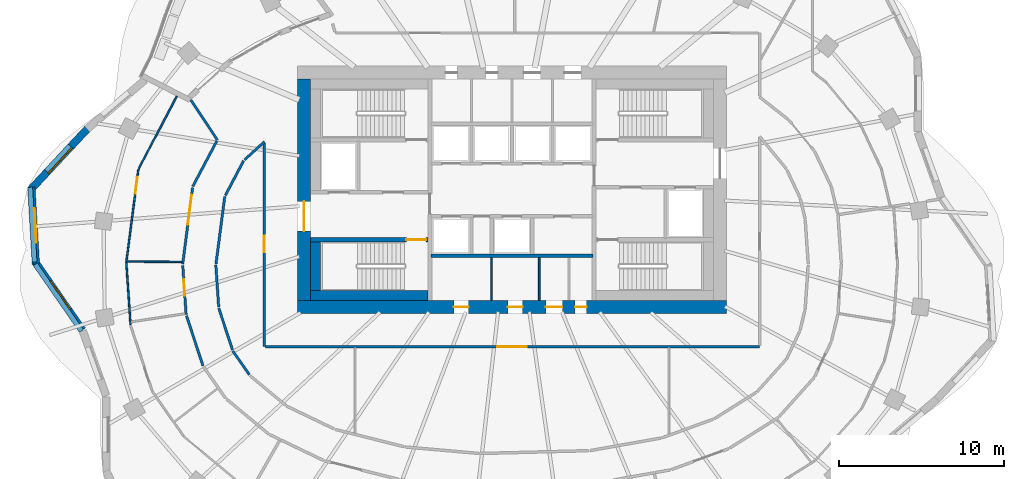
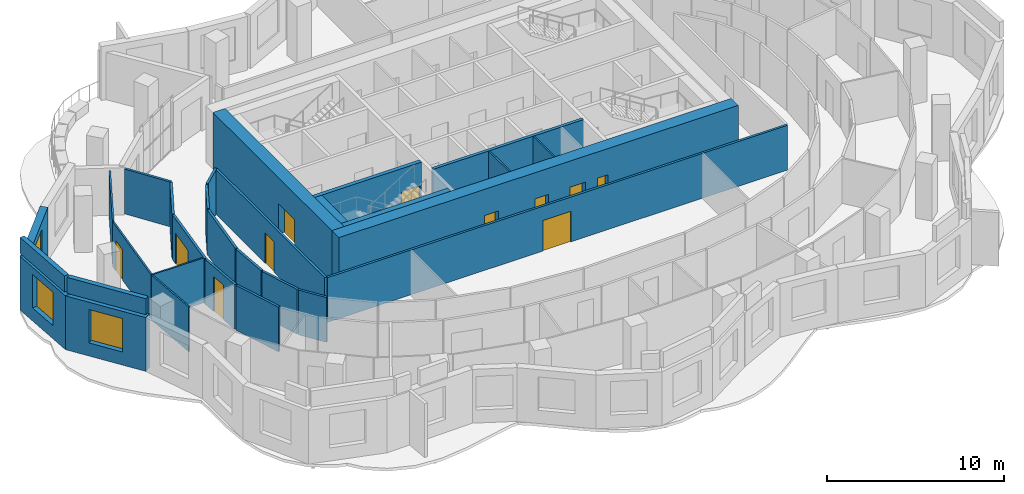
# One storey, part 6 of 13: 30 walls, 11 doors, 3 windows, 14 openings.
"""IFC4 building model written with IfcOpenShell, lengths in metres."""

from ifc_helpers import new_model, si_unit, direction, frame, frame_2d, origin, place, context, subcontext, project, spatial, rectangle, extrude, material, layer, layer_set, type_object, element, fill, save


model = new_model("IFC4")

# Units and contexts
model_context = context("Model", 3, precision=1e-05, world=origin(), true_north=direction((0.0, 1.0)))
body_context = subcontext(model_context, "Body", "Model", "MODEL_VIEW")
ifc_project = project(units=[si_unit("LENGTHUNIT", "METRE"), si_unit("AREAUNIT", "SQUARE_METRE"), si_unit("VOLUMEUNIT", "CUBIC_METRE"), si_unit("PLANEANGLEUNIT", "RADIAN"), si_unit("MASSUNIT", "GRAM", prefix="KILO")], contexts=[model_context])

# Site, building, storey
site_placement = place(None, origin())
site = spatial("IfcSite", under=ifc_project, at=site_placement, CompositionType="ELEMENT")
building_placement = place(site_placement, origin())
building = spatial("IfcBuilding", under=site, at=building_placement, Name="Rubra Terraces Tower", CompositionType="ELEMENT")
storey_placement = place(building_placement, frame((0.0, 0.0, 189.60009765625)))
storey = spatial("IfcBuildingStorey", under=building, at=storey_placement, Name="L46", CompositionType="ELEMENT", Elevation=189.60009765625)

# Wall, opening, window
ifc_material_1 = material(Name="Brick masonry red-brown", Category="masonry")
ifc_layer_1 = layer(ifc_material_1, 0.449951171875)
ifc_layer_set_1 = layer_set([ifc_layer_1], Name="Brick masonry red-brown")
wall_type_1 = type_object("IfcWallType", Name="Brick facade wall 450", PredefinedType="SOLIDWALL", material=ifc_layer_set_1)
wall_1_placement = place(storey_placement, frame((-25.716796875, 8.20068359375, 0.0), z_axis=(0.0, 0.0, 1.0), x_axis=(-0.681990073025, -0.731361429319, 0.0)))
wall_1 = element("IfcWall", 1, at=wall_1_placement, inside=storey, type_object=wall_type_1, Name="Facade wall L46 bay 19", PredefinedType="SOLIDWALL", context=body_context, shape_type="SweptSolid", body=[
    extrude(rectangle(XDim=5.063720703125, YDim=0.449951171875, at=frame_2d((2.53173828125, 0.0))), origin(), (0.0, 0.0, 1.0), 3.699951171875),
])
opening_1_placement = place(wall_1_placement, frame((1.481689453125, 0.0, 0.89990234375)))
opening_1 = element("IfcOpeningElement", 2, at=opening_1_placement, cuts=wall_1, Name="Opening W1B", PredefinedType="OPENING", context=body_context, shape_type="SweptSolid", body=[
    extrude(rectangle(XDim=2.10009765625, YDim=2.300048828125, at=frame_2d((1.050048828125, 1.14990234375))), frame((0.0, 0.23486328125, 0.0), z_axis=(0.0, -1.0, 0.0), x_axis=(1.0, 0.0, 0.0)), (0.0, 0.0, 1.0), 0.469970703125),
])
ifc_material_2 = material(Name="Clear glass in aluminium frame", Category="aluminium")
window_type = type_object("IfcWindowType", Name="Fixed deep-set window tall storey 2100 x 2300", PartitioningType="SINGLE_PANEL", PredefinedType="WINDOW", material=ifc_material_2)
window_1_placement = place(opening_1_placement, origin())
window_1 = element("IfcWindow", 3, at=window_1_placement, inside=storey, type_object=window_type, Name="Window L46 bay 19", OverallHeight=2.300048828125, OverallWidth=2.10009765625, PartitioningType="SINGLE_PANEL", PredefinedType="WINDOW", context=body_context, shape_type="SweptSolid", body=[
    extrude(rectangle(XDim=2.10009765625, YDim=2.300048828125, at=frame_2d((1.050048828125, 1.14990234375))), frame((0.0, 0.135009765625, 0.0), z_axis=(0.0, -1.0, 0.0), x_axis=(1.0, 0.0, 0.0)), (0.0, 0.0, 1.0), 0.06005859375),
])
fill(opening_1, window_1)

wall_2_placement = place(storey_placement, frame((-29.11328125, 4.66015625, 0.0), z_axis=(0.0, 0.0, 1.0), x_axis=(0.058217785859, -0.998303906338, 0.0)))
wall_2 = element("IfcWall", 4, at=wall_2_placement, inside=storey, type_object=wall_type_1, Name="Facade wall L46 bay 20", PredefinedType="SOLIDWALL", context=body_context, shape_type="SweptSolid", body=[
    extrude(rectangle(XDim=4.65478515625, YDim=0.449951171875, at=frame_2d((2.327392578125, 0.0))), origin(), (0.0, 0.0, 1.0), 3.699951171875),
])
opening_2_placement = place(wall_2_placement, frame((1.27734375, 0.0, 0.89990234375)))
opening_2 = element("IfcOpeningElement", 5, at=opening_2_placement, cuts=wall_2, Name="Opening W1B", PredefinedType="OPENING", context=body_context, shape_type="SweptSolid", body=[
    extrude(rectangle(XDim=2.10009765625, YDim=2.300048828125, at=frame_2d((1.050048828125, 1.14990234375))), frame((0.0, 0.23486328125, 0.0), z_axis=(0.0, -1.0, 0.0), x_axis=(1.0, 0.0, 0.0)), (0.0, 0.0, 1.0), 0.469970703125),
])
window_2_placement = place(opening_2_placement, origin())
window_2 = element("IfcWindow", 6, at=window_2_placement, inside=storey, type_object=window_type, Name="Window L46 bay 20", OverallHeight=2.300048828125, OverallWidth=2.10009765625, PartitioningType="SINGLE_PANEL", PredefinedType="WINDOW", context=body_context, shape_type="SweptSolid", body=[
    extrude(rectangle(XDim=2.10009765625, YDim=2.300048828125, at=frame_2d((1.050048828125, 1.14990234375))), frame((0.0, 0.135009765625, 0.0), z_axis=(0.0, -1.0, 0.0), x_axis=(1.0, 0.0, 0.0)), (0.0, 0.0, 1.0), 0.06005859375),
])
fill(opening_2, window_2)

wall_3_placement = place(storey_placement, frame((-28.87841796875, 0.122802734375, 0.0), z_axis=(0.0, 0.0, 1.0), x_axis=(0.569394732999, -0.8220642542, 0.0)))
wall_3 = element("IfcWall", 7, at=wall_3_placement, inside=storey, type_object=wall_type_1, Name="Facade wall L46 bay 21", PredefinedType="SOLIDWALL", context=body_context, shape_type="SweptSolid", body=[
    extrude(rectangle(XDim=5.015869140625, YDim=0.449951171875, at=frame_2d((2.5078125, 0.0))), origin(), (0.0, 0.0, 1.0), 3.699951171875),
])
opening_3_placement = place(wall_3_placement, frame((1.4580078125, 0.0, 0.89990234375)))
opening_3 = element("IfcOpeningElement", 8, at=opening_3_placement, cuts=wall_3, Name="Opening W1B", PredefinedType="OPENING", context=body_context, shape_type="SweptSolid", body=[
    extrude(rectangle(XDim=2.10009765625, YDim=2.300048828125, at=frame_2d((1.050048828125, 1.14990234375))), frame((0.0, 0.23486328125, 0.0), z_axis=(0.0, -1.0, 0.0), x_axis=(1.0, 0.0, 0.0)), (0.0, 0.0, 1.0), 0.469970703125),
])
window_3_placement = place(opening_3_placement, origin())
window_3 = element("IfcWindow", 9, at=window_3_placement, inside=storey, type_object=window_type, Name="Window L46 bay 21", OverallHeight=2.300048828125, OverallWidth=2.10009765625, PartitioningType="SINGLE_PANEL", PredefinedType="WINDOW", context=body_context, shape_type="SweptSolid", body=[
    extrude(rectangle(XDim=2.10009765625, YDim=2.300048828125, at=frame_2d((1.050048828125, 1.14990234375))), frame((0.0, 0.135009765625, 0.0), z_axis=(0.0, -1.0, 0.0), x_axis=(1.0, 0.0, 0.0)), (0.0, 0.0, 1.0), 0.06005859375),
])
fill(opening_3, window_3)

# Walls
ifc_layer_2 = layer(ifc_material_1, 0.300048828125)
ifc_layer_set_2 = layer_set([ifc_layer_2], Name="Brick masonry red-brown")
wall_type_2 = type_object("IfcWallType", Name="Brick parapet 300", PredefinedType="PARAPET", material=ifc_layer_set_2)
wall_4_placement = place(storey_placement, frame((-29.188232421875, 4.65576171875, 3.89990234375), z_axis=(0.0, 0.0, 1.0), x_axis=(0.058230319325, -0.998303175349, 0.0)))
element("IfcWall", 10, at=wall_4_placement, inside=storey, type_object=wall_type_2, Name="Parapet L46 bay 20", PredefinedType="PARAPET", context=body_context, shape_type="SweptSolid", body=[
    extrude(rectangle(XDim=4.540771484375, YDim=0.300048828125, at=frame_2d((2.2705078125, 0.0))), origin(), (0.0, 0.0, 1.0), 1.10009765625),
])
wall_5_placement = place(storey_placement, frame((-28.878662109375, -0.008544921875, 3.89990234375), z_axis=(0.0, 0.0, 1.0), x_axis=(0.569370412902, -0.822081098744, 0.0)))
element("IfcWall", 11, at=wall_5_placement, inside=storey, type_object=wall_type_2, Name="Parapet L46 bay 21", PredefinedType="PARAPET", context=body_context, shape_type="SweptSolid", body=[
    extrude(rectangle(XDim=4.90576171875, YDim=0.300048828125, at=frame_2d((2.452880859375, 0.0))), origin(), (0.0, 0.0, 1.0), 1.10009765625),
])

# Wall, openings, doors
ifc_material_3 = material(Name="Concrete C50", Category="concrete")
ifc_layer_3 = layer(ifc_material_3, 0.800048828125)
ifc_layer_set_3 = layer_set([ifc_layer_3], Name="Concrete C50")
wall_type_3 = type_object("IfcWallType", Name="CORE WALL 800 C50", PredefinedType="SHEAR", material=ifc_layer_set_3)
wall_6_placement = place(storey_placement, frame((-13.0, -2.60009765625, 0.0), z_axis=(0.0, 0.0, 1.0), x_axis=(1.0, 0.0, 0.0)))
wall_6 = element("IfcWall", 12, at=wall_6_placement, inside=storey, type_object=wall_type_3, Name="CORE WALL S L46", PredefinedType="SHEAR", context=body_context, shape_type="SweptSolid", body=[
    extrude(rectangle(XDim=26.0, YDim=0.800048828125, at=frame_2d((13.0, 0.0))), origin(), (0.0, 0.0, 1.0), 3.89990234375),
])
opening_4_placement = place(wall_6_placement, frame((9.47509765625, 0.0, 0.0)))
opening_4 = element("IfcOpeningElement", 13, at=opening_4_placement, cuts=wall_6, Name="Opening L46.C21", PredefinedType="OPENING", context=body_context, shape_type="SweptSolid", body=[
    extrude(rectangle(XDim=0.89990234375, YDim=2.10009765625, at=frame_2d((0.449951171875, 1.050048828125))), frame((0.0, 0.409912109375, 0.0), z_axis=(0.0, -1.0, 0.0), x_axis=(1.0, 0.0, 0.0)), (0.0, 0.0, 1.0), 0.820068359375),
])
opening_5_placement = place(wall_6_placement, frame((12.75, 0.0, 0.0)))
opening_5 = element("IfcOpeningElement", 14, at=opening_5_placement, cuts=wall_6, Name="Opening L46.C22", PredefinedType="OPENING", context=body_context, shape_type="SweptSolid", body=[
    extrude(rectangle(XDim=0.89990234375, YDim=2.10009765625, at=frame_2d((0.449951171875, 1.050048828125))), frame((0.0, 0.409912109375, 0.0), z_axis=(0.0, -1.0, 0.0), x_axis=(1.0, 0.0, 0.0)), (0.0, 0.0, 1.0), 0.820068359375),
])
opening_6_placement = place(wall_6_placement, frame((15.050048828125, 0.0, 0.0)))
opening_6 = element("IfcOpeningElement", 15, at=opening_6_placement, cuts=wall_6, Name="Opening L46.C23", PredefinedType="OPENING", context=body_context, shape_type="SweptSolid", body=[
    extrude(rectangle(XDim=1.0, YDim=2.10009765625, at=frame_2d((0.5, 1.050048828125))), frame((0.0, 0.409912109375, 0.0), z_axis=(0.0, -1.0, 0.0), x_axis=(1.0, 0.0, 0.0)), (0.0, 0.0, 1.0), 0.820068359375),
])
opening_7_placement = place(wall_6_placement, frame((16.824951171875, 0.0, 0.0)))
opening_7 = element("IfcOpeningElement", 16, at=opening_7_placement, cuts=wall_6, Name="Opening L46.C24", PredefinedType="OPENING", context=body_context, shape_type="SweptSolid", body=[
    extrude(rectangle(XDim=0.699951171875, YDim=2.10009765625, at=frame_2d((0.35009765625, 1.050048828125))), frame((0.0, 0.409912109375, 0.0), z_axis=(0.0, -1.0, 0.0), x_axis=(1.0, 0.0, 0.0)), (0.0, 0.0, 1.0), 0.820068359375),
])
ifc_material_4 = material(Name="Painted steel", Category="steel")
door_type_1 = type_object("IfcDoorType", Name="Fire door 1000x2100 single", OperationType="NOTDEFINED", PredefinedType="DOOR", material=ifc_material_4)
door_1_placement = place(opening_6_placement, origin())
door_1 = element("IfcDoor", 17, at=door_1_placement, inside=storey, type_object=door_type_1, Name="Accessible WC door", OperationType="SINGLE_SWING_LEFT", OverallHeight=2.10009765625, OverallWidth=1.0, PredefinedType="DOOR", context=body_context, shape_type="SweptSolid", body=[
    extrude(rectangle(XDim=1.0, YDim=2.10009765625, at=frame_2d((0.5, 1.050048828125))), frame((0.0, 0.02490234375, 0.0), z_axis=(0.0, -1.0, 0.0), x_axis=(1.0, 0.0, 0.0)), (0.0, 0.0, 1.0), 0.050048828125),
])
fill(opening_6, door_1)
door_type_2 = type_object("IfcDoorType", Name="Fire door 900x2100 single", OperationType="NOTDEFINED", PredefinedType="DOOR", material=ifc_material_4)
door_2_placement = place(opening_4_placement, origin())
door_2 = element("IfcDoor", 18, at=door_2_placement, inside=storey, type_object=door_type_2, Name="Ladies WC door", OperationType="SINGLE_SWING_LEFT", OverallHeight=2.10009765625, OverallWidth=0.89990234375, PredefinedType="DOOR", context=body_context, shape_type="SweptSolid", body=[
    extrude(rectangle(XDim=0.89990234375, YDim=2.10009765625, at=frame_2d((0.449951171875, 1.050048828125))), frame((0.0, 0.02490234375, 0.0), z_axis=(0.0, -1.0, 0.0), x_axis=(1.0, 0.0, 0.0)), (0.0, 0.0, 1.0), 0.050048828125),
])
fill(opening_4, door_2)
door_3_placement = place(opening_5_placement, origin())
door_3 = element("IfcDoor", 19, at=door_3_placement, inside=storey, type_object=door_type_2, Name="Gents WC door", OperationType="SINGLE_SWING_RIGHT", OverallHeight=2.10009765625, OverallWidth=0.89990234375, PredefinedType="DOOR", context=body_context, shape_type="SweptSolid", body=[
    extrude(rectangle(XDim=0.89990234375, YDim=2.10009765625, at=frame_2d((0.449951171875, 1.050048828125))), frame((0.0, 0.02490234375, 0.0), z_axis=(0.0, -1.0, 0.0), x_axis=(1.0, 0.0, 0.0)), (0.0, 0.0, 1.0), 0.050048828125),
])
fill(opening_5, door_3)
door_type_3 = type_object("IfcDoorType", Name="Riser access door 700x2100 single", OperationType="NOTDEFINED", PredefinedType="DOOR", material=ifc_material_4)
door_4_placement = place(opening_7_placement, origin())
door_4 = element("IfcDoor", 20, at=door_4_placement, inside=storey, type_object=door_type_3, Name="Electrical riser room door", OperationType="SINGLE_SWING_RIGHT", OverallHeight=2.10009765625, OverallWidth=0.699951171875, PredefinedType="DOOR", context=body_context, shape_type="SweptSolid", body=[
    extrude(rectangle(XDim=0.699951171875, YDim=2.10009765625, at=frame_2d((0.35009765625, 1.050048828125))), frame((0.0, 0.02490234375, 0.0), z_axis=(0.0, -1.0, 0.0), x_axis=(1.0, 0.0, 0.0)), (0.0, 0.0, 1.0), 0.050048828125),
])
fill(opening_7, door_4)

# Wall, opening, door
wall_7_placement = place(storey_placement, frame((-12.60009765625, -2.199951171875, 0.0), z_axis=(0.0, 0.0, 1.0), x_axis=(0.0, 1.0, 0.0)))
wall_7 = element("IfcWall", 21, at=wall_7_placement, inside=storey, type_object=wall_type_3, Name="CORE WALL W L46", PredefinedType="SHEAR", context=body_context, shape_type="SweptSolid", body=[
    extrude(rectangle(XDim=13.39990234375, YDim=0.800048828125, at=frame_2d((6.699951171875, 0.0))), origin(), (0.0, 0.0, 1.0), 3.89990234375),
])
opening_8_placement = place(wall_7_placement, frame((4.199951171875, 0.0, 0.0)))
opening_8 = element("IfcOpeningElement", 22, at=opening_8_placement, cuts=wall_7, Name="Opening L46.C01", PredefinedType="OPENING", context=body_context, shape_type="SweptSolid", body=[
    extrude(rectangle(XDim=1.800048828125, YDim=2.10009765625, at=frame_2d((0.89990234375, 1.050048828125))), frame((0.0, 0.409912109375, 0.0), z_axis=(0.0, -1.0, 0.0), x_axis=(1.0, 0.0, 0.0)), (0.0, 0.0, 1.0), 0.820068359375),
])
door_type_4 = type_object("IfcDoorType", Name="Fire door 1800x2100 double", OperationType="NOTDEFINED", PredefinedType="DOOR", material=ifc_material_4)
door_5_placement = place(opening_8_placement, origin())
door_5 = element("IfcDoor", 23, at=door_5_placement, inside=storey, type_object=door_type_4, Name="Core entrance door FF1", OperationType="DOUBLE_DOOR_SINGLE_SWING", OverallHeight=2.10009765625, OverallWidth=1.800048828125, PredefinedType="DOOR", context=body_context, shape_type="SweptSolid", body=[
    extrude(rectangle(XDim=1.800048828125, YDim=2.10009765625, at=frame_2d((0.89990234375, 1.050048828125))), frame((0.0, 0.02490234375, 0.0), z_axis=(0.0, -1.0, 0.0), x_axis=(1.0, 0.0, 0.0)), (0.0, 0.0, 1.0), 0.050048828125),
])
fill(opening_8, door_5)

# Walls
ifc_material_5 = material(Name="Plasterboard on steel stud, mineral wool infill", Category="steel")
ifc_layer_4 = layer(ifc_material_5, 0.14990234375)
ifc_layer_set_4 = layer_set([ifc_layer_4], Name="Plasterboard on steel stud, mineral wool infill")
wall_type_4 = type_object("IfcWallType", Name="CORRIDOR PARTITION 150", PredefinedType="PARTITIONING", material=ifc_layer_set_4)
wall_8_placement = place(storey_placement, frame((-19.456298828125, 9.943115234375, 0.0), z_axis=(0.0, 0.0, 1.0), x_axis=(0.553343067853, -0.832953449635, 0.0)))
element("IfcWall", 24, at=wall_8_placement, inside=storey, type_object=wall_type_4, Name="PARTITION", PredefinedType="PARTITIONING", context=body_context, shape_type="SweptSolid", body=[
    extrude(rectangle(XDim=2.907470703125, YDim=0.14990234375, at=frame_2d((1.45361328125, 0.0))), origin(), (0.0, 0.0, 1.0), 3.083984375),
])
wall_9_placement = place(storey_placement, frame((-17.882568359375, 7.454833984375, 0.0), z_axis=(0.0, 0.0, 1.0), x_axis=(-0.467721822532, -0.883875724708, 0.0)))
element("IfcWall", 25, at=wall_9_placement, inside=storey, type_object=wall_type_4, Name="PARTITION", PredefinedType="PARTITIONING", context=body_context, shape_type="SweptSolid", body=[
    extrude(rectangle(XDim=3.1103515625, YDim=0.14990234375, at=frame_2d((1.55517578125, 0.0))), origin(), (0.0, 0.0, 1.0), 3.083984375),
])

# Wall, opening, door
wall_10_placement = place(storey_placement, frame((-19.34716796875, 4.631103515625, 0.0), z_axis=(0.0, 0.0, 1.0), x_axis=(-0.128813952733, -0.991668778162, 0.0)))
wall_10 = element("IfcWall", 26, at=wall_10_placement, inside=storey, type_object=wall_type_4, Name="PARTITION", PredefinedType="PARTITIONING", context=body_context, shape_type="SweptSolid", body=[
    extrude(rectangle(XDim=4.669921875, YDim=0.14990234375, at=frame_2d((2.3349609375, 0.0))), origin(), (0.0, 0.0, 1.0), 3.083984375),
])
opening_9_placement = place(wall_10_placement, frame((0.449951171875, 0.0, 0.0)))
opening_9 = element("IfcOpeningElement", 27, at=opening_9_placement, cuts=wall_10, Name="Opening 46-102", PredefinedType="OPENING", context=body_context, shape_type="SweptSolid", body=[
    extrude(rectangle(XDim=1.800048828125, YDim=2.10009765625, at=frame_2d((0.89990234375, 1.050048828125))), frame((0.0, 0.0849609375, 0.0), z_axis=(0.0, -1.0, 0.0), x_axis=(1.0, 0.0, 0.0)), (0.0, 0.0, 1.0), 0.169921875),
])
ifc_material_6 = material(Name="Painted timber door leaf, double", Category="wood")
door_type_5 = type_object("IfcDoorType", Name="ROOM DOUBLE DOOR 1800 X 2100", OperationType="DOUBLE_DOOR_SINGLE_SWING", PredefinedType="DOOR", material=ifc_material_6)
door_6_placement = place(opening_9_placement, origin())
door_6 = element("IfcDoor", 28, at=door_6_placement, inside=storey, type_object=door_type_5, Name="DOOR 46-102", OperationType="DOUBLE_DOOR_SINGLE_SWING", OverallHeight=2.10009765625, OverallWidth=1.800048828125, PredefinedType="DOOR", context=body_context, shape_type="SweptSolid", body=[
    extrude(rectangle(XDim=1.800048828125, YDim=2.10009765625, at=frame_2d((0.89990234375, 1.050048828125))), frame((0.0, 0.02490234375, 0.0), z_axis=(0.0, -1.0, 0.0), x_axis=(1.0, 0.0, 0.0)), (0.0, 0.0, 1.0), 0.050048828125),
])
fill(opening_9, door_6)

wall_11_placement = place(storey_placement, frame((-19.943603515625, -0.07470703125, 0.0), z_axis=(0.0, 0.0, 1.0), x_axis=(0.068136763128, -0.997675990245, 0.0)))
wall_11 = element("IfcWall", 29, at=wall_11_placement, inside=storey, type_object=wall_type_4, Name="PARTITION", PredefinedType="PARTITIONING", context=body_context, shape_type="SweptSolid", body=[
    extrude(rectangle(XDim=2.984619140625, YDim=0.14990234375, at=frame_2d((1.4921875, 0.0))), origin(), (0.0, 0.0, 1.0), 3.083984375),
])
opening_10_placement = place(wall_11_placement, frame((0.85791015625, 0.0, 0.0)))
opening_10 = element("IfcOpeningElement", 30, at=opening_10_placement, cuts=wall_11, Name="Opening 46-104", PredefinedType="OPENING", context=body_context, shape_type="SweptSolid", body=[
    extrude(rectangle(XDim=1.0, YDim=2.39990234375, at=frame_2d((0.5, 1.199951171875))), frame((0.0, 0.0849609375, 0.0), z_axis=(0.0, -1.0, 0.0), x_axis=(1.0, 0.0, 0.0)), (0.0, 0.0, 1.0), 0.169921875),
])
ifc_material_7 = material(Name="Glazed aluminium meeting door leaf", Category="aluminium")
door_type_6 = type_object("IfcDoorType", Name="MEETING ROOM GLAZED DOOR 1000 X 2400", OperationType="SINGLE_SWING_LEFT", PredefinedType="DOOR", material=ifc_material_7)
door_7_placement = place(opening_10_placement, origin())
door_7 = element("IfcDoor", 31, at=door_7_placement, inside=storey, type_object=door_type_6, Name="DOOR 46-104", OperationType="SINGLE_SWING_RIGHT", OverallHeight=2.39990234375, OverallWidth=1.0, PredefinedType="DOOR", context=body_context, shape_type="SweptSolid", body=[
    extrude(rectangle(XDim=1.0, YDim=2.39990234375, at=frame_2d((0.5, 1.199951171875))), frame((0.0, 0.02490234375, 0.0), z_axis=(0.0, -1.0, 0.0), x_axis=(1.0, 0.0, 0.0)), (0.0, 0.0, 1.0), 0.050048828125),
])
fill(opening_10, door_7)

# Walls
wall_12_placement = place(storey_placement, frame((-19.716796875, -3.123779296875, 0.0), z_axis=(0.0, 0.0, 1.0), x_axis=(0.31188427026, -0.950120098706, 0.0)))
element("IfcWall", 32, at=wall_12_placement, inside=storey, type_object=wall_type_4, Name="PARTITION", PredefinedType="PARTITIONING", context=body_context, shape_type="SweptSolid", body=[
    extrude(rectangle(XDim=3.206298828125, YDim=0.14990234375, at=frame_2d((1.60302734375, 0.0))), origin(), (0.0, 0.0, 1.0), 3.083984375),
])
wall_13_placement = place(storey_placement, frame((-15.911865234375, -6.695556640625, 0.0), z_axis=(0.0, 0.0, 1.0), x_axis=(-0.572078533763, 0.820198848578, 0.0)))
element("IfcWall", 33, at=wall_13_placement, inside=storey, type_object=wall_type_4, Name="PARTITION", PredefinedType="PARTITIONING", context=body_context, shape_type="SweptSolid", body=[
    extrude(rectangle(XDim=1.74169921875, YDim=0.14990234375, at=frame_2d((0.870849609375, 0.0))), origin(), (0.0, 0.0, 1.0), 3.083984375),
])
wall_14_placement = place(storey_placement, frame((-16.931640625, -5.19580078125, 0.0), z_axis=(0.0, 0.0, 1.0), x_axis=(-0.311904957484, 0.950113307715, 0.0)))
element("IfcWall", 34, at=wall_14_placement, inside=storey, type_object=wall_type_4, Name="PARTITION", PredefinedType="PARTITIONING", context=body_context, shape_type="SweptSolid", body=[
    extrude(rectangle(XDim=2.662109375, YDim=0.14990234375, at=frame_2d((1.3310546875, 0.0))), origin(), (0.0, 0.0, 1.0), 3.083984375),
])
wall_15_placement = place(storey_placement, frame((-17.76708984375, -2.591552734375, 0.0), z_axis=(0.0, 0.0, 1.0), x_axis=(-0.068154548533, 0.997674775422, 0.0)))
element("IfcWall", 35, at=wall_15_placement, inside=storey, type_object=wall_type_4, Name="PARTITION", PredefinedType="PARTITIONING", context=body_context, shape_type="SweptSolid", body=[
    extrude(rectangle(XDim=2.5361328125, YDim=0.14990234375, at=frame_2d((1.26806640625, 0.0))), origin(), (0.0, 0.0, 1.0), 3.083984375),
])
wall_16_placement = place(storey_placement, frame((-17.930419921875, 0.01318359375, 0.0), z_axis=(0.0, 0.0, 1.0), x_axis=(0.128862113677, 0.991662521052, 0.0)))
element("IfcWall", 36, at=wall_16_placement, inside=storey, type_object=wall_type_4, Name="PARTITION", PredefinedType="PARTITIONING", context=body_context, shape_type="SweptSolid", body=[
    extrude(rectangle(XDim=4.113037109375, YDim=0.14990234375, at=frame_2d((2.056640625, 0.0))), origin(), (0.0, 0.0, 1.0), 3.083984375),
])
wall_17_placement = place(storey_placement, frame((-17.365478515625, 4.158447265625, 0.0), z_axis=(0.0, 0.0, 1.0), x_axis=(0.465619619263, 0.884984954763, 0.0)))
element("IfcWall", 37, at=wall_17_placement, inside=storey, type_object=wall_type_4, Name="PARTITION", PredefinedType="PARTITIONING", context=body_context, shape_type="SweptSolid", body=[
    extrude(rectangle(XDim=2.38037109375, YDim=0.14990234375, at=frame_2d((1.190185546875, 0.0))), origin(), (0.0, 0.0, 1.0), 3.083984375),
])
wall_18_placement = place(storey_placement, frame((-16.20166015625, 6.315673828125, 0.0), z_axis=(0.0, 0.0, 1.0), x_axis=(0.738485493928, 0.674269364021, 0.0)))
element("IfcWall", 38, at=wall_18_placement, inside=storey, type_object=wall_type_4, Name="PARTITION", PredefinedType="PARTITIONING", context=body_context, shape_type="SweptSolid", body=[
    extrude(rectangle(XDim=1.627197265625, YDim=0.14990234375, at=frame_2d((0.8134765625, 0.0))), origin(), (0.0, 0.0, 1.0), 3.083984375),
])

# Wall, opening, door
wall_19_placement = place(storey_placement, frame((-15.0, 7.337890625, 0.0), z_axis=(0.0, 0.0, 1.0), x_axis=(0.0, -1.0, 0.0)))
wall_19 = element("IfcWall", 39, at=wall_19_placement, inside=storey, type_object=wall_type_4, Name="PARTITION", PredefinedType="PARTITIONING", context=body_context, shape_type="SweptSolid", body=[
    extrude(rectangle(XDim=12.337890625, YDim=0.14990234375, at=frame_2d((6.1689453125, 0.0))), origin(), (0.0, 0.0, 1.0), 3.083984375),
])
opening_11_placement = place(wall_19_placement, frame((5.632080078125, 0.0, 0.0)))
opening_11 = element("IfcOpeningElement", 40, at=opening_11_placement, cuts=wall_19, Name="Opening 46-119", PredefinedType="OPENING", context=body_context, shape_type="SweptSolid", body=[
    extrude(rectangle(XDim=1.0, YDim=2.10009765625, at=frame_2d((0.5, 1.050048828125))), frame((0.0, 0.0849609375, 0.0), z_axis=(0.0, -1.0, 0.0), x_axis=(1.0, 0.0, 0.0)), (0.0, 0.0, 1.0), 0.169921875),
])
ifc_material_8 = material(Name="Painted timber door leaf", Category="wood")
door_type_7 = type_object("IfcDoorType", Name="ROOM DOOR 1000 X 2100", OperationType="SINGLE_SWING_LEFT", PredefinedType="DOOR", material=ifc_material_8)
door_8_placement = place(opening_11_placement, origin())
door_8 = element("IfcDoor", 41, at=door_8_placement, inside=storey, type_object=door_type_7, Name="DOOR 46-119", OperationType="SINGLE_SWING_RIGHT", OverallHeight=2.10009765625, OverallWidth=1.0, PredefinedType="DOOR", context=body_context, shape_type="SweptSolid", body=[
    extrude(rectangle(XDim=1.0, YDim=2.10009765625, at=frame_2d((0.5, 1.050048828125))), frame((0.0, 0.02490234375, 0.0), z_axis=(0.0, -1.0, 0.0), x_axis=(1.0, 0.0, 0.0)), (0.0, 0.0, 1.0), 0.050048828125),
])
fill(opening_11, door_8)

wall_20_placement = place(storey_placement, frame((-14.925048828125, -5.0, 0.0), z_axis=(0.0, 0.0, 1.0), x_axis=(1.0, 0.0, 0.0)))
wall_20 = element("IfcWall", 42, at=wall_20_placement, inside=storey, type_object=wall_type_4, Name="PARTITION", PredefinedType="PARTITIONING", context=body_context, shape_type="SweptSolid", body=[
    extrude(rectangle(XDim=29.925048828125, YDim=0.14990234375, at=frame_2d((14.96240234375, 0.0))), origin(), (0.0, 0.0, 1.0), 3.083984375),
])
opening_12_placement = place(wall_20_placement, frame((14.02490234375, 0.0, 0.0)))
opening_12 = element("IfcOpeningElement", 43, at=opening_12_placement, cuts=wall_20, Name="Opening 46-120", PredefinedType="OPENING", context=body_context, shape_type="SweptSolid", body=[
    extrude(rectangle(XDim=1.800048828125, YDim=2.10009765625, at=frame_2d((0.89990234375, 1.050048828125))), frame((0.0, 0.0849609375, 0.0), z_axis=(0.0, -1.0, 0.0), x_axis=(1.0, 0.0, 0.0)), (0.0, 0.0, 1.0), 0.169921875),
])
door_9_placement = place(opening_12_placement, origin())
door_9 = element("IfcDoor", 44, at=door_9_placement, inside=storey, type_object=door_type_5, Name="DOOR 46-120", OperationType="DOUBLE_DOOR_SINGLE_SWING", OverallHeight=2.10009765625, OverallWidth=1.800048828125, PredefinedType="DOOR", context=body_context, shape_type="SweptSolid", body=[
    extrude(rectangle(XDim=1.800048828125, YDim=2.10009765625, at=frame_2d((0.89990234375, 1.050048828125))), frame((0.0, 0.02490234375, 0.0), z_axis=(0.0, -1.0, 0.0), x_axis=(1.0, 0.0, 0.0)), (0.0, 0.0, 1.0), 0.050048828125),
])
fill(opening_12, door_9)

# Walls
ifc_material_9 = material(Name="Concrete C40", Category="concrete")
ifc_layer_5 = layer(ifc_material_9, 0.60009765625)
ifc_layer_set_5 = layer_set([ifc_layer_5], Name="Concrete C40")
wall_type_5 = type_object("IfcWallType", Name="Core lining wall 600 concrete", PredefinedType="SOLIDWALL", material=ifc_layer_set_5)
wall_21_placement = place(storey_placement, frame((-12.199951171875, -1.89990234375, 0.0), z_axis=(0.0, 0.0, 1.0), x_axis=(1.0, 0.0, 0.0)))
element("IfcWall", 45, at=wall_21_placement, inside=storey, type_object=wall_type_5, Name="CORE LINING WALL L46", PredefinedType="SOLIDWALL", context=body_context, shape_type="SweptSolid", body=[
    extrude(rectangle(XDim=7.099853515625, YDim=0.60009765625, at=frame_2d((3.5498046875, 0.0))), origin(), (0.0, 0.0, 1.0), 3.699951171875),
])
wall_22_placement = place(storey_placement, frame((-11.89990234375, -1.60009765625, 0.0), z_axis=(0.0, 0.0, 1.0), x_axis=(0.0, 1.0, 0.0)))
element("IfcWall", 46, at=wall_22_placement, inside=storey, type_object=wall_type_5, Name="CORE LINING WALL L46", PredefinedType="SOLIDWALL", context=body_context, shape_type="SweptSolid", body=[
    extrude(rectangle(XDim=2.9501953125, YDim=0.60009765625, at=frame_2d((1.47509765625, 0.0))), origin(), (0.0, 0.0, 1.0), 3.699951171875),
])
ifc_material_10 = material(Name="Concrete C30", Category="concrete")
ifc_layer_6 = layer(ifc_material_10, 0.199951171875)
ifc_layer_set_6 = layer_set([ifc_layer_6], Name="Concrete C30")
wall_type_6 = type_object("IfcWallType", Name="Core wall 200 concrete", PredefinedType="SOLIDWALL", material=ifc_layer_set_6)
wall_23_placement = place(storey_placement, frame((-4.89990234375, 0.5, 0.0), z_axis=(0.0, 0.0, 1.0), x_axis=(1.0, 0.0, 0.0)))
element("IfcWall", 47, at=wall_23_placement, inside=storey, type_object=wall_type_6, Name="LIFT SHAFT WALL L46", PredefinedType="SOLIDWALL", context=body_context, shape_type="SweptSolid", body=[
    extrude(rectangle(XDim=9.7998046875, YDim=0.199951171875, at=frame_2d((4.89990234375, 0.0))), origin(), (0.0, 0.0, 1.0), 3.699951171875),
])
ifc_material_11 = material(Name="Plasterboard on steel stud", Category="steel")
ifc_layer_7 = layer(ifc_material_11, 0.10009765625)
ifc_layer_set_7 = layer_set([ifc_layer_7], Name="Plasterboard on steel stud")
wall_type_7 = type_object("IfcWallType", Name="ROOM PARTITION 100", PredefinedType="PARTITIONING", material=ifc_layer_set_7)
wall_24_placement = place(storey_placement, frame((-23.106689453125, -3.65869140625, 0.0), z_axis=(0.0, 0.0, 1.0), x_axis=(-0.068224497128, 0.997669994533, 0.0)))
element("IfcWall", 48, at=wall_24_placement, inside=storey, type_object=wall_type_7, Name="PARTITION", PredefinedType="PARTITIONING", context=body_context, shape_type="SweptSolid", body=[
    extrude(rectangle(XDim=3.771728515625, YDim=0.10009765625, at=frame_2d((1.8857421875, 0.0))), origin(), (0.0, 0.0, 1.0), 3.083984375),
])

# Wall, opening, door
wall_25_placement = place(storey_placement, frame((-23.357421875, 0.15380859375, 0.0), z_axis=(0.0, 0.0, 1.0), x_axis=(0.128821187538, 0.991667838362, 0.0)))
wall_25 = element("IfcWall", 49, at=wall_25_placement, inside=storey, type_object=wall_type_7, Name="PARTITION", PredefinedType="PARTITIONING", context=body_context, shape_type="SweptSolid", body=[
    extrude(rectangle(XDim=5.64208984375, YDim=0.10009765625, at=frame_2d((2.821044921875, 0.0))), origin(), (0.0, 0.0, 1.0), 3.083984375),
])
opening_13_placement = place(wall_25_placement, frame((4.14990234375, 0.0, 0.0)))
opening_13 = element("IfcOpeningElement", 50, at=opening_13_placement, cuts=wall_25, Name="Opening 46-103", PredefinedType="OPENING", context=body_context, shape_type="SweptSolid", body=[
    extrude(rectangle(XDim=1.0, YDim=2.10009765625, at=frame_2d((0.5, 1.050048828125))), frame((0.0, 0.06005859375, 0.0), z_axis=(0.0, -1.0, 0.0), x_axis=(1.0, 0.0, 0.0)), (0.0, 0.0, 1.0), 0.1201171875),
])
door_10_placement = place(opening_13_placement, origin())
door_10 = element("IfcDoor", 51, at=door_10_placement, inside=storey, type_object=door_type_7, Name="DOOR 46-103", OperationType="SINGLE_SWING_LEFT", OverallHeight=2.10009765625, OverallWidth=1.0, PredefinedType="DOOR", context=body_context, shape_type="SweptSolid", body=[
    extrude(rectangle(XDim=1.0, YDim=2.10009765625, at=frame_2d((0.5, 1.050048828125))), frame((0.0, 0.02490234375, 0.0), z_axis=(0.0, -1.0, 0.0), x_axis=(1.0, 0.0, 0.0)), (0.0, 0.0, 1.0), 0.050048828125),
])
fill(opening_13, door_10)

# Walls
wall_26_placement = place(storey_placement, frame((-22.607177734375, 5.79296875, 0.0), z_axis=(0.0, 0.0, 1.0), x_axis=(0.465632415416, 0.884978222169, 0.0)))
element("IfcWall", 52, at=wall_26_placement, inside=storey, type_object=wall_type_7, Name="PARTITION", PredefinedType="PARTITIONING", context=body_context, shape_type="SweptSolid", body=[
    extrude(rectangle(XDim=4.942138671875, YDim=0.10009765625, at=frame_2d((2.47119140625, 0.0))), origin(), (0.0, 0.0, 1.0), 3.083984375),
])
wall_27_placement = place(storey_placement, frame((-20.00634765625, 0.134521484375, 0.0), z_axis=(0.0, 0.0, 1.0), x_axis=(-0.999982056353, 0.005990573668, 0.0)))
element("IfcWall", 53, at=wall_27_placement, inside=storey, type_object=wall_type_7, Name="PARTITION", PredefinedType="PARTITIONING", context=body_context, shape_type="SweptSolid", body=[
    extrude(rectangle(XDim=3.301025390625, YDim=0.10009765625, at=frame_2d((1.650390625, 0.0))), origin(), (0.0, 0.0, 1.0), 3.083984375),
])
ifc_material_12 = material(Name="Blockwork", Category="masonry")
ifc_layer_8 = layer(ifc_material_12, 0.10009765625)
ifc_layer_set_8 = layer_set([ifc_layer_8], Name="Blockwork")
wall_type_8 = type_object("IfcWallType", Name="Service partition 100 blockwork", PredefinedType="PARTITIONING", material=ifc_layer_set_8)
for number, where, z_axis, x_axis, name in (
    (54, (-1.25, -2.199951171875, 0.0), (0.0, 0.0, 1.0), (0.0, 1.0, 0.0), "SERVICE ROOM PARTITION L46"),
    (55, (1.64990234375, -2.199951171875, 0.0), (0.0, 0.0, 1.0), (0.0, 1.0, 0.0), "SERVICE ROOM PARTITION L46"),
):
    element("IfcWall", number, at=place(storey_placement, frame(where, z_axis=z_axis, x_axis=x_axis)), inside=storey, type_object=wall_type_8, Name=name, PredefinedType="PARTITIONING", context=body_context, shape_type="SweptSolid", body=[
        extrude(rectangle(XDim=2.599853515625, YDim=0.10009765625, at=frame_2d((1.2998046875, 0.0))), origin(), (0.0, 0.0, 1.0), 3.699951171875),
    ])

# Wall, opening, door
ifc_layer_9 = layer(ifc_material_9, 0.25)
ifc_layer_set_9 = layer_set([ifc_layer_9], Name="Concrete C40")
wall_type_9 = type_object("IfcWallType", Name="Stair enclosure wall 250 concrete", PredefinedType="SOLIDWALL", material=ifc_layer_set_9)
wall_28_placement = place(storey_placement, frame((-12.199951171875, 1.47509765625, 0.0), z_axis=(0.0, 0.0, 1.0), x_axis=(1.0, 0.0, 0.0)))
wall_28 = element("IfcWall", 56, at=wall_28_placement, inside=storey, type_object=wall_type_9, Name="STAIR WALL L46", PredefinedType="SOLIDWALL", context=body_context, shape_type="SweptSolid", body=[
    extrude(rectangle(XDim=7.099853515625, YDim=0.25, at=frame_2d((3.5498046875, 0.0))), origin(), (0.0, 0.0, 1.0), 3.699951171875),
])
opening_14_placement = place(wall_28_placement, frame((5.800048828125, 0.0, 0.0)))
opening_14 = element("IfcOpeningElement", 57, at=opening_14_placement, cuts=wall_28, Name="Opening L46.C07", PredefinedType="OPENING", context=body_context, shape_type="SweptSolid", body=[
    extrude(rectangle(XDim=1.199951171875, YDim=2.10009765625, at=frame_2d((0.60009765625, 1.050048828125))), frame((0.0, 0.135009765625, 0.0), z_axis=(0.0, -1.0, 0.0), x_axis=(1.0, 0.0, 0.0)), (0.0, 0.0, 1.0), 0.27001953125),
])
door_type_8 = type_object("IfcDoorType", Name="Fire door 1200x2100 single", OperationType="NOTDEFINED", PredefinedType="DOOR", material=ifc_material_4)
door_11_placement = place(opening_14_placement, origin())
door_11 = element("IfcDoor", 58, at=door_11_placement, inside=storey, type_object=door_type_8, Name="Stair door S1", OperationType="SINGLE_SWING_LEFT", OverallHeight=2.10009765625, OverallWidth=1.199951171875, PredefinedType="DOOR", context=body_context, shape_type="SweptSolid", body=[
    extrude(rectangle(XDim=1.199951171875, YDim=2.10009765625, at=frame_2d((0.60009765625, 1.050048828125))), frame((0.0, 0.02490234375, 0.0), z_axis=(0.0, -1.0, 0.0), x_axis=(1.0, 0.0, 0.0)), (0.0, 0.0, 1.0), 0.050048828125),
])
fill(opening_14, door_11)

save(model, "model.ifc")
